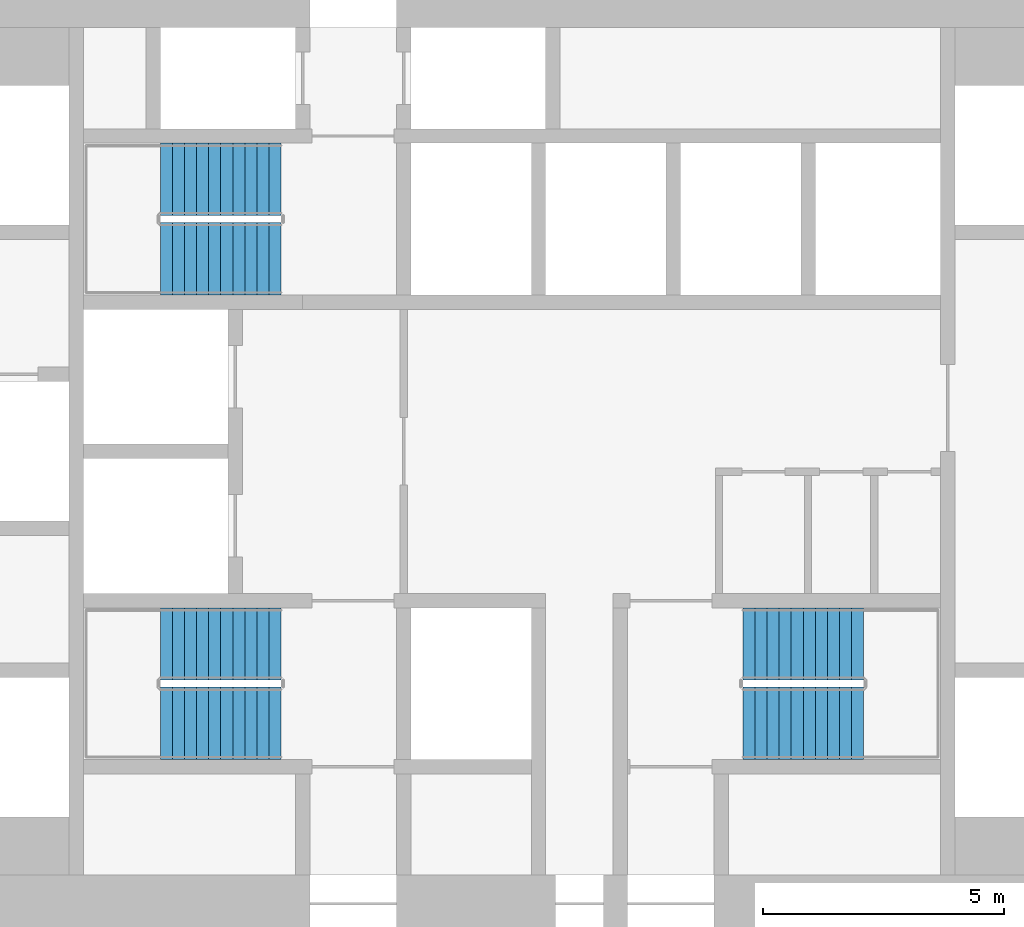
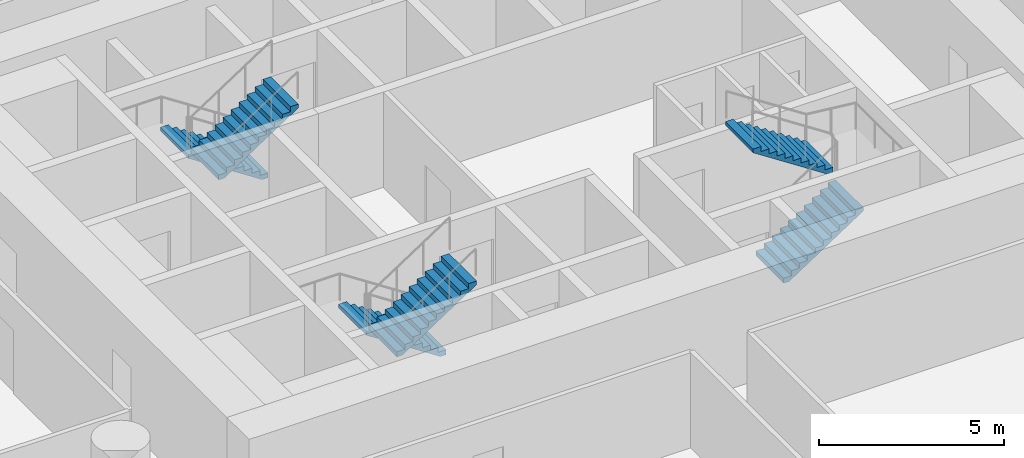
# One storey, part 11 of 12: 6 stair flights, 3 elements without a shape of their own.
"""IFC4 building model written with IfcOpenShell, lengths in metres."""

from ifc_helpers import new_model, si_unit, direction, frame, origin, place, context, subcontext, project, spatial, polyline, outline, extrude, material, type_object, element, aggregate, save


model = new_model("IFC4")

# Units and contexts
model_context = context("Model", 3, precision=1e-05, world=origin(), true_north=direction((0.0, 1.0)))
body_context = subcontext(model_context, "Body", "Model", "MODEL_VIEW")
ifc_project = project(units=[si_unit("LENGTHUNIT", "METRE"), si_unit("AREAUNIT", "SQUARE_METRE"), si_unit("VOLUMEUNIT", "CUBIC_METRE"), si_unit("PLANEANGLEUNIT", "RADIAN"), si_unit("MASSUNIT", "GRAM", prefix="KILO")], contexts=[model_context])

# Site, building, storey
site_placement = place(None, origin())
site = spatial("IfcSite", under=ifc_project, at=site_placement, CompositionType="ELEMENT")
building_placement = place(site_placement, origin())
building = spatial("IfcBuilding", under=site, at=building_placement, Name="Tracery Tower", CompositionType="ELEMENT")
storey_placement = place(building_placement, frame((0.0, 0.0, 39.0)))
storey = spatial("IfcBuildingStorey", under=building, at=storey_placement, Name="L08", CompositionType="ELEMENT", Elevation=39.0)

# Stair, stair flights
ifc_material_1 = material(Name="Concrete C32/40", Category="concrete")
stair_type = type_object("IfcStairType", Name="Core stair 22 risers", PredefinedType="HALF_TURN_STAIR", material=ifc_material_1)
stair_1_placement = place(storey_placement, origin())
stair_1 = element("IfcStair", 1, at=stair_1_placement, inside=storey, type_object=stair_type, Name="L08 stair ST1", PredefinedType="HALF_TURN_STAIR")
ifc_material_2 = material(Name="Concrete C32/40", Category="concrete")
stair_flight_type = type_object("IfcStairFlightType", Name="Core stair flight 11 risers", PredefinedType="STRAIGHT", material=ifc_material_2)
stair_flight_1_placement = place(storey_placement, frame((-4.800048828125, -4.0, 0.0), z_axis=(0.0, 0.0, 1.0), x_axis=(-1.0, 0.0, 0.0)))
stair_flight_1 = element("IfcStairFlight", 2, at=stair_flight_1_placement, type_object=stair_flight_type, Name="ST1 flight 1", NumberOfRisers=11, NumberOfTreads=10, PredefinedType="STRAIGHT", RiserHeight=0.163636364, TreadLength=0.25, context=body_context, shape_type="SweptSolid", body=[
    extrude(outline(polyline([(0.0, 0.0), (0.0, 0.002685546875), (0.0, 0.00537109375), (0.0, 0.008056640625), (0.0, 0.0107421875), (0.0, 0.013427734375), (0.0, 0.01611328125), (0.0, 0.018798828125), (0.0, 0.021484375), (0.0, 0.024169921875), (0.0, 0.02685546875), (0.0, 0.029541015625), (0.0, 0.0322265625), (0.0, 0.034912109375), (0.0, 0.03759765625), (0.0, 0.040283203125), (0.0, 0.04296875), (0.0, 0.045654296875), (0.0, 0.04833984375), (0.0, 0.051025390625), (0.0, 0.0537109375), (0.0, 0.056396484375), (0.0, 0.05908203125), (0.0, 0.061767578125), (0.0, 0.064453125), (0.0, 0.067138671875), (0.0, 0.06982421875), (0.0, 0.072509765625), (0.0, 0.0751953125), (0.0, 0.077880859375), (0.0, 0.08056640625), (0.0, 0.083251953125), (0.0, 0.0859375), (0.0, 0.088623046875), (0.0, 0.09130859375), (0.0, 0.093994140625), (0.0, 0.0966796875), (0.0, 0.099365234375), (0.0, 0.10205078125), (0.0, 0.104736328125), (0.0, 0.107421875), (0.0, 0.10986328125), (0.0, 0.112548828125), (0.0, 0.115234375), (0.0, 0.117919921875), (0.0, 0.12060546875), (0.0, 0.123291015625), (0.0, 0.1259765625), (0.0, 0.128662109375), (0.0, 0.13134765625), (0.0, 0.134033203125), (0.0, 0.13671875), (0.0, 0.139404296875), (0.0, 0.14208984375), (0.0, 0.144775390625), (0.0, 0.1474609375), (0.0, 0.150146484375), (0.0, 0.15283203125), (0.0, 0.155517578125), (0.0, 0.158203125), (0.0, 0.160888671875), (0.0, 0.16357421875), (0.25, 0.16357421875), (0.25, 0.327392578125), (0.5, 0.327392578125), (0.5, 0.490966796875), (0.75, 0.490966796875), (0.75, 0.654541015625), (1.0, 0.654541015625), (1.0, 0.818115234375), (1.25, 0.818115234375), (1.25, 0.98193359375), (1.5, 0.98193359375), (1.5, 1.1455078125), (1.75, 1.1455078125), (1.75, 1.30908203125), (2.0, 1.30908203125), (2.0, 1.47265625), (2.25, 1.47265625), (2.25, 1.636474609375), (2.5, 1.636474609375), (2.5, 1.634521484375), (2.5, 1.63232421875), (2.5, 1.63037109375), (2.5, 1.62841796875), (2.5, 1.62646484375), (2.5, 1.62451171875), (2.5, 1.62255859375), (2.5, 1.62060546875), (2.5, 1.61865234375), (2.5, 1.61669921875), (2.5, 1.61474609375), (2.5, 1.61279296875), (2.5, 1.61083984375), (2.5, 1.60888671875), (2.5, 1.60693359375), (2.5, 1.60498046875), (2.5, 1.60302734375), (2.5, 1.60107421875), (2.5, 1.59912109375), (2.5, 1.59716796875), (2.5, 1.59521484375), (2.5, 1.59326171875), (2.5, 1.59130859375), (2.5, 1.58935546875), (2.5, 1.58740234375), (2.5, 1.58544921875), (2.5, 1.58349609375), (2.5, 1.58154296875), (2.5, 1.57958984375), (2.5, 1.57763671875), (2.5, 1.57568359375), (2.5, 1.573486328125), (2.5, 1.571533203125), (2.5, 1.569580078125), (2.5, 1.567626953125), (2.5, 1.565673828125), (2.5, 1.563720703125), (2.5, 1.561767578125), (2.5, 1.559814453125), (2.5, 1.557861328125), (2.5, 1.555908203125), (2.5, 1.553955078125), (2.5, 1.552001953125), (2.5, 1.550048828125), (2.5, 1.548095703125), (2.5, 1.546142578125), (2.5, 1.544189453125), (2.5, 1.542236328125), (2.5, 1.540283203125), (2.5, 1.538330078125), (2.5, 1.536376953125), (2.5, 1.534423828125), (2.5, 1.532470703125), (2.5, 1.530517578125), (2.5, 1.528564453125), (2.5, 1.526611328125), (2.5, 1.524658203125), (2.5, 1.522705078125), (2.5, 1.520751953125), (2.5, 1.518798828125), (2.5, 1.516845703125), (0.182861328125, 0.0), (0.0, 0.0)])), frame((0.0, 0.75, 0.0), z_axis=(0.0, -1.0, 0.0), x_axis=(1.0, 0.0, 0.0)), (0.0, 0.0, 1.0), 1.5),
])
stair_flight_2_placement = place(storey_placement, frame((-7.300048828125, -5.64990234375, 1.800048828125), z_axis=(0.0, 0.0, 1.0), x_axis=(1.0, 0.0, 0.0)))
stair_flight_2 = element("IfcStairFlight", 3, at=stair_flight_2_placement, type_object=stair_flight_type, Name="ST1 flight 2", NumberOfRisers=11, NumberOfTreads=10, PredefinedType="STRAIGHT", RiserHeight=0.163636364, TreadLength=0.25, context=body_context, shape_type="SweptSolid", body=[
    extrude(outline(polyline([(0.0, 0.0), (0.0, 0.002685546875), (0.0, 0.00537109375), (0.0, 0.008056640625), (0.0, 0.0107421875), (0.0, 0.013427734375), (0.0, 0.01611328125), (0.0, 0.018798828125), (0.0, 0.021484375), (0.0, 0.024169921875), (0.0, 0.02685546875), (0.0, 0.029541015625), (0.0, 0.0322265625), (0.0, 0.034912109375), (0.0, 0.03759765625), (0.0, 0.040283203125), (0.0, 0.04296875), (0.0, 0.045654296875), (0.0, 0.04833984375), (0.0, 0.051025390625), (0.0, 0.0537109375), (0.0, 0.056396484375), (0.0, 0.05908203125), (0.0, 0.061767578125), (0.0, 0.064453125), (0.0, 0.067138671875), (0.0, 0.06982421875), (0.0, 0.072509765625), (0.0, 0.0751953125), (0.0, 0.077880859375), (0.0, 0.08056640625), (0.0, 0.083251953125), (0.0, 0.0859375), (0.0, 0.088623046875), (0.0, 0.09130859375), (0.0, 0.093994140625), (0.0, 0.0966796875), (0.0, 0.099365234375), (0.0, 0.10205078125), (0.0, 0.104736328125), (0.0, 0.107421875), (0.0, 0.10986328125), (0.0, 0.112548828125), (0.0, 0.115234375), (0.0, 0.117919921875), (0.0, 0.12060546875), (0.0, 0.123291015625), (0.0, 0.1259765625), (0.0, 0.128662109375), (0.0, 0.13134765625), (0.0, 0.134033203125), (0.0, 0.13671875), (0.0, 0.139404296875), (0.0, 0.14208984375), (0.0, 0.144775390625), (0.0, 0.1474609375), (0.0, 0.150146484375), (0.0, 0.15283203125), (0.0, 0.155517578125), (0.0, 0.158203125), (0.0, 0.160888671875), (0.0, 0.16357421875), (0.25, 0.16357421875), (0.25, 0.327392578125), (0.5, 0.327392578125), (0.5, 0.490966796875), (0.75, 0.490966796875), (0.75, 0.654541015625), (1.0, 0.654541015625), (1.0, 0.818115234375), (1.25, 0.818115234375), (1.25, 0.98193359375), (1.5, 0.98193359375), (1.5, 1.1455078125), (1.75, 1.1455078125), (1.75, 1.30908203125), (2.0, 1.30908203125), (2.0, 1.47265625), (2.25, 1.47265625), (2.25, 1.636474609375), (2.5, 1.636474609375), (2.5, 1.634521484375), (2.5, 1.63232421875), (2.5, 1.63037109375), (2.5, 1.62841796875), (2.5, 1.62646484375), (2.5, 1.62451171875), (2.5, 1.62255859375), (2.5, 1.62060546875), (2.5, 1.61865234375), (2.5, 1.61669921875), (2.5, 1.61474609375), (2.5, 1.61279296875), (2.5, 1.61083984375), (2.5, 1.60888671875), (2.5, 1.60693359375), (2.5, 1.60498046875), (2.5, 1.60302734375), (2.5, 1.60107421875), (2.5, 1.59912109375), (2.5, 1.59716796875), (2.5, 1.59521484375), (2.5, 1.59326171875), (2.5, 1.59130859375), (2.5, 1.58935546875), (2.5, 1.58740234375), (2.5, 1.58544921875), (2.5, 1.58349609375), (2.5, 1.58154296875), (2.5, 1.57958984375), (2.5, 1.57763671875), (2.5, 1.57568359375), (2.5, 1.573486328125), (2.5, 1.571533203125), (2.5, 1.569580078125), (2.5, 1.567626953125), (2.5, 1.565673828125), (2.5, 1.563720703125), (2.5, 1.561767578125), (2.5, 1.559814453125), (2.5, 1.557861328125), (2.5, 1.555908203125), (2.5, 1.553955078125), (2.5, 1.552001953125), (2.5, 1.550048828125), (2.5, 1.548095703125), (2.5, 1.546142578125), (2.5, 1.544189453125), (2.5, 1.542236328125), (2.5, 1.540283203125), (2.5, 1.538330078125), (2.5, 1.536376953125), (2.5, 1.534423828125), (2.5, 1.532470703125), (2.5, 1.530517578125), (2.5, 1.528564453125), (2.5, 1.526611328125), (2.5, 1.524658203125), (2.5, 1.522705078125), (2.5, 1.520751953125), (2.5, 1.518798828125), (2.5, 1.516845703125), (0.182861328125, 0.0), (0.0, 0.0)])), frame((0.0, 0.75, 0.0), z_axis=(0.0, -1.0, 0.0), x_axis=(1.0, 0.0, 0.0)), (0.0, 0.0, 1.0), 1.5),
])
aggregate(stair_1, [stair_flight_1, stair_flight_2])

stair_2_placement = place(storey_placement, origin())
stair_2 = element("IfcStair", 4, at=stair_2_placement, inside=storey, type_object=stair_type, Name="L08 stair ST3", PredefinedType="HALF_TURN_STAIR")
stair_flight_3_placement = place(storey_placement, frame((-4.800048828125, 5.64990234375, 0.0), z_axis=(0.0, 0.0, 1.0), x_axis=(-1.0, 0.0, 0.0)))
stair_flight_3 = element("IfcStairFlight", 5, at=stair_flight_3_placement, type_object=stair_flight_type, Name="ST3 flight 1", NumberOfRisers=11, NumberOfTreads=10, PredefinedType="STRAIGHT", RiserHeight=0.163636364, TreadLength=0.25, context=body_context, shape_type="SweptSolid", body=[
    extrude(outline(polyline([(0.0, 0.0), (0.0, 0.002685546875), (0.0, 0.00537109375), (0.0, 0.008056640625), (0.0, 0.0107421875), (0.0, 0.013427734375), (0.0, 0.01611328125), (0.0, 0.018798828125), (0.0, 0.021484375), (0.0, 0.024169921875), (0.0, 0.02685546875), (0.0, 0.029541015625), (0.0, 0.0322265625), (0.0, 0.034912109375), (0.0, 0.03759765625), (0.0, 0.040283203125), (0.0, 0.04296875), (0.0, 0.045654296875), (0.0, 0.04833984375), (0.0, 0.051025390625), (0.0, 0.0537109375), (0.0, 0.056396484375), (0.0, 0.05908203125), (0.0, 0.061767578125), (0.0, 0.064453125), (0.0, 0.067138671875), (0.0, 0.06982421875), (0.0, 0.072509765625), (0.0, 0.0751953125), (0.0, 0.077880859375), (0.0, 0.08056640625), (0.0, 0.083251953125), (0.0, 0.0859375), (0.0, 0.088623046875), (0.0, 0.09130859375), (0.0, 0.093994140625), (0.0, 0.0966796875), (0.0, 0.099365234375), (0.0, 0.10205078125), (0.0, 0.104736328125), (0.0, 0.107421875), (0.0, 0.10986328125), (0.0, 0.112548828125), (0.0, 0.115234375), (0.0, 0.117919921875), (0.0, 0.12060546875), (0.0, 0.123291015625), (0.0, 0.1259765625), (0.0, 0.128662109375), (0.0, 0.13134765625), (0.0, 0.134033203125), (0.0, 0.13671875), (0.0, 0.139404296875), (0.0, 0.14208984375), (0.0, 0.144775390625), (0.0, 0.1474609375), (0.0, 0.150146484375), (0.0, 0.15283203125), (0.0, 0.155517578125), (0.0, 0.158203125), (0.0, 0.160888671875), (0.0, 0.16357421875), (0.25, 0.16357421875), (0.25, 0.327392578125), (0.5, 0.327392578125), (0.5, 0.490966796875), (0.75, 0.490966796875), (0.75, 0.654541015625), (1.0, 0.654541015625), (1.0, 0.818115234375), (1.25, 0.818115234375), (1.25, 0.98193359375), (1.5, 0.98193359375), (1.5, 1.1455078125), (1.75, 1.1455078125), (1.75, 1.30908203125), (2.0, 1.30908203125), (2.0, 1.47265625), (2.25, 1.47265625), (2.25, 1.636474609375), (2.5, 1.636474609375), (2.5, 1.634521484375), (2.5, 1.63232421875), (2.5, 1.63037109375), (2.5, 1.62841796875), (2.5, 1.62646484375), (2.5, 1.62451171875), (2.5, 1.62255859375), (2.5, 1.62060546875), (2.5, 1.61865234375), (2.5, 1.61669921875), (2.5, 1.61474609375), (2.5, 1.61279296875), (2.5, 1.61083984375), (2.5, 1.60888671875), (2.5, 1.60693359375), (2.5, 1.60498046875), (2.5, 1.60302734375), (2.5, 1.60107421875), (2.5, 1.59912109375), (2.5, 1.59716796875), (2.5, 1.59521484375), (2.5, 1.59326171875), (2.5, 1.59130859375), (2.5, 1.58935546875), (2.5, 1.58740234375), (2.5, 1.58544921875), (2.5, 1.58349609375), (2.5, 1.58154296875), (2.5, 1.57958984375), (2.5, 1.57763671875), (2.5, 1.57568359375), (2.5, 1.573486328125), (2.5, 1.571533203125), (2.5, 1.569580078125), (2.5, 1.567626953125), (2.5, 1.565673828125), (2.5, 1.563720703125), (2.5, 1.561767578125), (2.5, 1.559814453125), (2.5, 1.557861328125), (2.5, 1.555908203125), (2.5, 1.553955078125), (2.5, 1.552001953125), (2.5, 1.550048828125), (2.5, 1.548095703125), (2.5, 1.546142578125), (2.5, 1.544189453125), (2.5, 1.542236328125), (2.5, 1.540283203125), (2.5, 1.538330078125), (2.5, 1.536376953125), (2.5, 1.534423828125), (2.5, 1.532470703125), (2.5, 1.530517578125), (2.5, 1.528564453125), (2.5, 1.526611328125), (2.5, 1.524658203125), (2.5, 1.522705078125), (2.5, 1.520751953125), (2.5, 1.518798828125), (2.5, 1.516845703125), (0.182861328125, 0.0), (0.0, 0.0)])), frame((0.0, 0.75, 0.0), z_axis=(0.0, -1.0, 0.0), x_axis=(1.0, 0.0, 0.0)), (0.0, 0.0, 1.0), 1.5),
])
stair_flight_4_placement = place(storey_placement, frame((-7.300048828125, 4.0, 1.800048828125), z_axis=(0.0, 0.0, 1.0), x_axis=(1.0, 0.0, 0.0)))
stair_flight_4 = element("IfcStairFlight", 6, at=stair_flight_4_placement, type_object=stair_flight_type, Name="ST3 flight 2", NumberOfRisers=11, NumberOfTreads=10, PredefinedType="STRAIGHT", RiserHeight=0.163636364, TreadLength=0.25, context=body_context, shape_type="SweptSolid", body=[
    extrude(outline(polyline([(0.0, 0.0), (0.0, 0.002685546875), (0.0, 0.00537109375), (0.0, 0.008056640625), (0.0, 0.0107421875), (0.0, 0.013427734375), (0.0, 0.01611328125), (0.0, 0.018798828125), (0.0, 0.021484375), (0.0, 0.024169921875), (0.0, 0.02685546875), (0.0, 0.029541015625), (0.0, 0.0322265625), (0.0, 0.034912109375), (0.0, 0.03759765625), (0.0, 0.040283203125), (0.0, 0.04296875), (0.0, 0.045654296875), (0.0, 0.04833984375), (0.0, 0.051025390625), (0.0, 0.0537109375), (0.0, 0.056396484375), (0.0, 0.05908203125), (0.0, 0.061767578125), (0.0, 0.064453125), (0.0, 0.067138671875), (0.0, 0.06982421875), (0.0, 0.072509765625), (0.0, 0.0751953125), (0.0, 0.077880859375), (0.0, 0.08056640625), (0.0, 0.083251953125), (0.0, 0.0859375), (0.0, 0.088623046875), (0.0, 0.09130859375), (0.0, 0.093994140625), (0.0, 0.0966796875), (0.0, 0.099365234375), (0.0, 0.10205078125), (0.0, 0.104736328125), (0.0, 0.107421875), (0.0, 0.10986328125), (0.0, 0.112548828125), (0.0, 0.115234375), (0.0, 0.117919921875), (0.0, 0.12060546875), (0.0, 0.123291015625), (0.0, 0.1259765625), (0.0, 0.128662109375), (0.0, 0.13134765625), (0.0, 0.134033203125), (0.0, 0.13671875), (0.0, 0.139404296875), (0.0, 0.14208984375), (0.0, 0.144775390625), (0.0, 0.1474609375), (0.0, 0.150146484375), (0.0, 0.15283203125), (0.0, 0.155517578125), (0.0, 0.158203125), (0.0, 0.160888671875), (0.0, 0.16357421875), (0.25, 0.16357421875), (0.25, 0.327392578125), (0.5, 0.327392578125), (0.5, 0.490966796875), (0.75, 0.490966796875), (0.75, 0.654541015625), (1.0, 0.654541015625), (1.0, 0.818115234375), (1.25, 0.818115234375), (1.25, 0.98193359375), (1.5, 0.98193359375), (1.5, 1.1455078125), (1.75, 1.1455078125), (1.75, 1.30908203125), (2.0, 1.30908203125), (2.0, 1.47265625), (2.25, 1.47265625), (2.25, 1.636474609375), (2.5, 1.636474609375), (2.5, 1.634521484375), (2.5, 1.63232421875), (2.5, 1.63037109375), (2.5, 1.62841796875), (2.5, 1.62646484375), (2.5, 1.62451171875), (2.5, 1.62255859375), (2.5, 1.62060546875), (2.5, 1.61865234375), (2.5, 1.61669921875), (2.5, 1.61474609375), (2.5, 1.61279296875), (2.5, 1.61083984375), (2.5, 1.60888671875), (2.5, 1.60693359375), (2.5, 1.60498046875), (2.5, 1.60302734375), (2.5, 1.60107421875), (2.5, 1.59912109375), (2.5, 1.59716796875), (2.5, 1.59521484375), (2.5, 1.59326171875), (2.5, 1.59130859375), (2.5, 1.58935546875), (2.5, 1.58740234375), (2.5, 1.58544921875), (2.5, 1.58349609375), (2.5, 1.58154296875), (2.5, 1.57958984375), (2.5, 1.57763671875), (2.5, 1.57568359375), (2.5, 1.573486328125), (2.5, 1.571533203125), (2.5, 1.569580078125), (2.5, 1.567626953125), (2.5, 1.565673828125), (2.5, 1.563720703125), (2.5, 1.561767578125), (2.5, 1.559814453125), (2.5, 1.557861328125), (2.5, 1.555908203125), (2.5, 1.553955078125), (2.5, 1.552001953125), (2.5, 1.550048828125), (2.5, 1.548095703125), (2.5, 1.546142578125), (2.5, 1.544189453125), (2.5, 1.542236328125), (2.5, 1.540283203125), (2.5, 1.538330078125), (2.5, 1.536376953125), (2.5, 1.534423828125), (2.5, 1.532470703125), (2.5, 1.530517578125), (2.5, 1.528564453125), (2.5, 1.526611328125), (2.5, 1.524658203125), (2.5, 1.522705078125), (2.5, 1.520751953125), (2.5, 1.518798828125), (2.5, 1.516845703125), (0.182861328125, 0.0), (0.0, 0.0)])), frame((0.0, 0.75, 0.0), z_axis=(0.0, -1.0, 0.0), x_axis=(1.0, 0.0, 0.0)), (0.0, 0.0, 1.0), 1.5),
])
aggregate(stair_2, [stair_flight_3, stair_flight_4])

stair_3_placement = place(storey_placement, origin())
stair_3 = element("IfcStair", 7, at=stair_3_placement, inside=storey, type_object=stair_type, Name="L08 stair ST2", PredefinedType="HALF_TURN_STAIR")
stair_flight_5_placement = place(storey_placement, frame((4.800048828125, -5.64990234375, 0.0), z_axis=(0.0, 0.0, 1.0), x_axis=(1.0, 0.0, 0.0)))
stair_flight_5 = element("IfcStairFlight", 8, at=stair_flight_5_placement, type_object=stair_flight_type, Name="ST2 flight 1", NumberOfRisers=11, NumberOfTreads=10, PredefinedType="STRAIGHT", RiserHeight=0.163636364, TreadLength=0.25, context=body_context, shape_type="SweptSolid", body=[
    extrude(outline(polyline([(0.0, 0.0), (0.0, 0.002685546875), (0.0, 0.00537109375), (0.0, 0.008056640625), (0.0, 0.0107421875), (0.0, 0.013427734375), (0.0, 0.01611328125), (0.0, 0.018798828125), (0.0, 0.021484375), (0.0, 0.024169921875), (0.0, 0.02685546875), (0.0, 0.029541015625), (0.0, 0.0322265625), (0.0, 0.034912109375), (0.0, 0.03759765625), (0.0, 0.040283203125), (0.0, 0.04296875), (0.0, 0.045654296875), (0.0, 0.04833984375), (0.0, 0.051025390625), (0.0, 0.0537109375), (0.0, 0.056396484375), (0.0, 0.05908203125), (0.0, 0.061767578125), (0.0, 0.064453125), (0.0, 0.067138671875), (0.0, 0.06982421875), (0.0, 0.072509765625), (0.0, 0.0751953125), (0.0, 0.077880859375), (0.0, 0.08056640625), (0.0, 0.083251953125), (0.0, 0.0859375), (0.0, 0.088623046875), (0.0, 0.09130859375), (0.0, 0.093994140625), (0.0, 0.0966796875), (0.0, 0.099365234375), (0.0, 0.10205078125), (0.0, 0.104736328125), (0.0, 0.107421875), (0.0, 0.10986328125), (0.0, 0.112548828125), (0.0, 0.115234375), (0.0, 0.117919921875), (0.0, 0.12060546875), (0.0, 0.123291015625), (0.0, 0.1259765625), (0.0, 0.128662109375), (0.0, 0.13134765625), (0.0, 0.134033203125), (0.0, 0.13671875), (0.0, 0.139404296875), (0.0, 0.14208984375), (0.0, 0.144775390625), (0.0, 0.1474609375), (0.0, 0.150146484375), (0.0, 0.15283203125), (0.0, 0.155517578125), (0.0, 0.158203125), (0.0, 0.160888671875), (0.0, 0.16357421875), (0.25, 0.16357421875), (0.25, 0.327392578125), (0.5, 0.327392578125), (0.5, 0.490966796875), (0.75, 0.490966796875), (0.75, 0.654541015625), (1.0, 0.654541015625), (1.0, 0.818115234375), (1.25, 0.818115234375), (1.25, 0.98193359375), (1.5, 0.98193359375), (1.5, 1.1455078125), (1.75, 1.1455078125), (1.75, 1.30908203125), (2.0, 1.30908203125), (2.0, 1.47265625), (2.25, 1.47265625), (2.25, 1.636474609375), (2.5, 1.636474609375), (2.5, 1.634521484375), (2.5, 1.63232421875), (2.5, 1.63037109375), (2.5, 1.62841796875), (2.5, 1.62646484375), (2.5, 1.62451171875), (2.5, 1.62255859375), (2.5, 1.62060546875), (2.5, 1.61865234375), (2.5, 1.61669921875), (2.5, 1.61474609375), (2.5, 1.61279296875), (2.5, 1.61083984375), (2.5, 1.60888671875), (2.5, 1.60693359375), (2.5, 1.60498046875), (2.5, 1.60302734375), (2.5, 1.60107421875), (2.5, 1.59912109375), (2.5, 1.59716796875), (2.5, 1.59521484375), (2.5, 1.59326171875), (2.5, 1.59130859375), (2.5, 1.58935546875), (2.5, 1.58740234375), (2.5, 1.58544921875), (2.5, 1.58349609375), (2.5, 1.58154296875), (2.5, 1.57958984375), (2.5, 1.57763671875), (2.5, 1.57568359375), (2.5, 1.573486328125), (2.5, 1.571533203125), (2.5, 1.569580078125), (2.5, 1.567626953125), (2.5, 1.565673828125), (2.5, 1.563720703125), (2.5, 1.561767578125), (2.5, 1.559814453125), (2.5, 1.557861328125), (2.5, 1.555908203125), (2.5, 1.553955078125), (2.5, 1.552001953125), (2.5, 1.550048828125), (2.5, 1.548095703125), (2.5, 1.546142578125), (2.5, 1.544189453125), (2.5, 1.542236328125), (2.5, 1.540283203125), (2.5, 1.538330078125), (2.5, 1.536376953125), (2.5, 1.534423828125), (2.5, 1.532470703125), (2.5, 1.530517578125), (2.5, 1.528564453125), (2.5, 1.526611328125), (2.5, 1.524658203125), (2.5, 1.522705078125), (2.5, 1.520751953125), (2.5, 1.518798828125), (2.5, 1.516845703125), (0.182861328125, 0.0), (0.0, 0.0)])), frame((0.0, 0.75, 0.0), z_axis=(0.0, -1.0, 0.0), x_axis=(1.0, 0.0, 0.0)), (0.0, 0.0, 1.0), 1.5),
])
stair_flight_6_placement = place(storey_placement, frame((7.300048828125, -4.0, 1.800048828125), z_axis=(0.0, 0.0, 1.0), x_axis=(-1.0, 0.0, 0.0)))
stair_flight_6 = element("IfcStairFlight", 9, at=stair_flight_6_placement, type_object=stair_flight_type, Name="ST2 flight 2", NumberOfRisers=11, NumberOfTreads=10, PredefinedType="STRAIGHT", RiserHeight=0.163636364, TreadLength=0.25, context=body_context, shape_type="SweptSolid", body=[
    extrude(outline(polyline([(0.0, 0.0), (0.0, 0.002685546875), (0.0, 0.00537109375), (0.0, 0.008056640625), (0.0, 0.0107421875), (0.0, 0.013427734375), (0.0, 0.01611328125), (0.0, 0.018798828125), (0.0, 0.021484375), (0.0, 0.024169921875), (0.0, 0.02685546875), (0.0, 0.029541015625), (0.0, 0.0322265625), (0.0, 0.034912109375), (0.0, 0.03759765625), (0.0, 0.040283203125), (0.0, 0.04296875), (0.0, 0.045654296875), (0.0, 0.04833984375), (0.0, 0.051025390625), (0.0, 0.0537109375), (0.0, 0.056396484375), (0.0, 0.05908203125), (0.0, 0.061767578125), (0.0, 0.064453125), (0.0, 0.067138671875), (0.0, 0.06982421875), (0.0, 0.072509765625), (0.0, 0.0751953125), (0.0, 0.077880859375), (0.0, 0.08056640625), (0.0, 0.083251953125), (0.0, 0.0859375), (0.0, 0.088623046875), (0.0, 0.09130859375), (0.0, 0.093994140625), (0.0, 0.0966796875), (0.0, 0.099365234375), (0.0, 0.10205078125), (0.0, 0.104736328125), (0.0, 0.107421875), (0.0, 0.10986328125), (0.0, 0.112548828125), (0.0, 0.115234375), (0.0, 0.117919921875), (0.0, 0.12060546875), (0.0, 0.123291015625), (0.0, 0.1259765625), (0.0, 0.128662109375), (0.0, 0.13134765625), (0.0, 0.134033203125), (0.0, 0.13671875), (0.0, 0.139404296875), (0.0, 0.14208984375), (0.0, 0.144775390625), (0.0, 0.1474609375), (0.0, 0.150146484375), (0.0, 0.15283203125), (0.0, 0.155517578125), (0.0, 0.158203125), (0.0, 0.160888671875), (0.0, 0.16357421875), (0.25, 0.16357421875), (0.25, 0.327392578125), (0.5, 0.327392578125), (0.5, 0.490966796875), (0.75, 0.490966796875), (0.75, 0.654541015625), (1.0, 0.654541015625), (1.0, 0.818115234375), (1.25, 0.818115234375), (1.25, 0.98193359375), (1.5, 0.98193359375), (1.5, 1.1455078125), (1.75, 1.1455078125), (1.75, 1.30908203125), (2.0, 1.30908203125), (2.0, 1.47265625), (2.25, 1.47265625), (2.25, 1.636474609375), (2.5, 1.636474609375), (2.5, 1.634521484375), (2.5, 1.63232421875), (2.5, 1.63037109375), (2.5, 1.62841796875), (2.5, 1.62646484375), (2.5, 1.62451171875), (2.5, 1.62255859375), (2.5, 1.62060546875), (2.5, 1.61865234375), (2.5, 1.61669921875), (2.5, 1.61474609375), (2.5, 1.61279296875), (2.5, 1.61083984375), (2.5, 1.60888671875), (2.5, 1.60693359375), (2.5, 1.60498046875), (2.5, 1.60302734375), (2.5, 1.60107421875), (2.5, 1.59912109375), (2.5, 1.59716796875), (2.5, 1.59521484375), (2.5, 1.59326171875), (2.5, 1.59130859375), (2.5, 1.58935546875), (2.5, 1.58740234375), (2.5, 1.58544921875), (2.5, 1.58349609375), (2.5, 1.58154296875), (2.5, 1.57958984375), (2.5, 1.57763671875), (2.5, 1.57568359375), (2.5, 1.573486328125), (2.5, 1.571533203125), (2.5, 1.569580078125), (2.5, 1.567626953125), (2.5, 1.565673828125), (2.5, 1.563720703125), (2.5, 1.561767578125), (2.5, 1.559814453125), (2.5, 1.557861328125), (2.5, 1.555908203125), (2.5, 1.553955078125), (2.5, 1.552001953125), (2.5, 1.550048828125), (2.5, 1.548095703125), (2.5, 1.546142578125), (2.5, 1.544189453125), (2.5, 1.542236328125), (2.5, 1.540283203125), (2.5, 1.538330078125), (2.5, 1.536376953125), (2.5, 1.534423828125), (2.5, 1.532470703125), (2.5, 1.530517578125), (2.5, 1.528564453125), (2.5, 1.526611328125), (2.5, 1.524658203125), (2.5, 1.522705078125), (2.5, 1.520751953125), (2.5, 1.518798828125), (2.5, 1.516845703125), (0.182861328125, 0.0), (0.0, 0.0)])), frame((0.0, 0.75, 0.0), z_axis=(0.0, -1.0, 0.0), x_axis=(1.0, 0.0, 0.0)), (0.0, 0.0, 1.0), 1.5),
])
aggregate(stair_3, [stair_flight_5, stair_flight_6])

save(model, "model.ifc")
